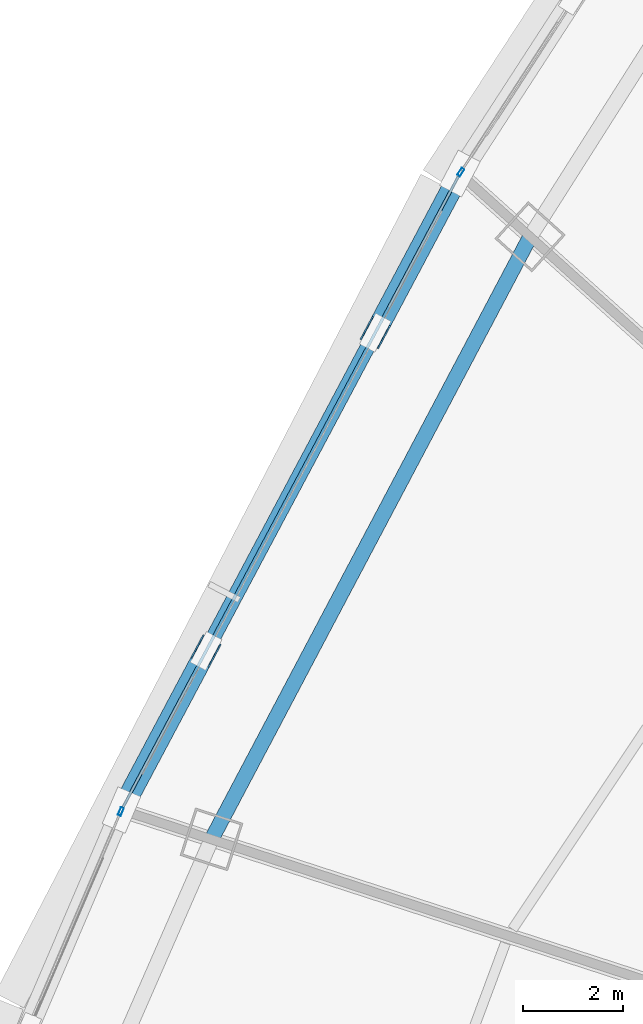
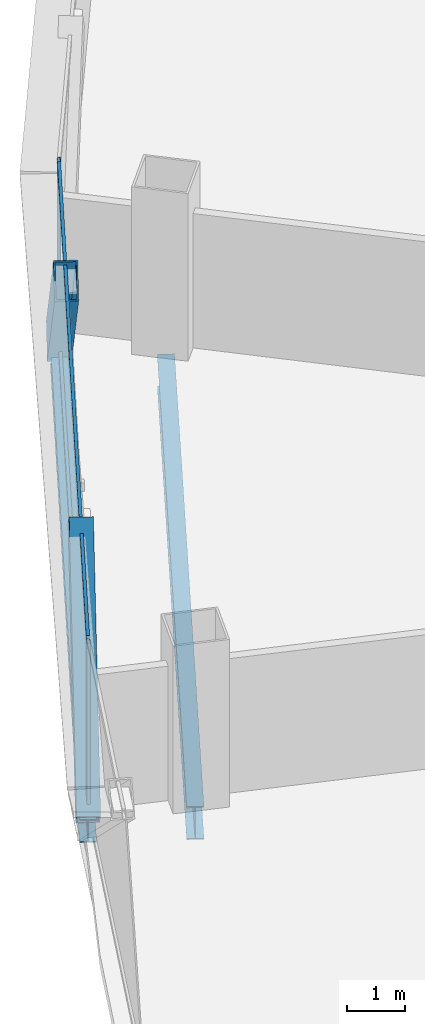
# One storey, part 14 of 39: 6 members, 2 beams, 3 elements without a shape of their own.
"""IFC4 building model written with IfcOpenShell, lengths in metres."""

from ifc_helpers import new_model, si_unit, direction, frame, origin, origin_2d, place, context, subcontext, project, spatial, hollow_rectangle, i_section, extrude, source, transform, mapped, material, layer, layer_set, material_profile, profile_set, type_object, element, aggregate, save


model = new_model("IFC4")

# Units and contexts
model_context = context("Model", 3, precision=1e-05, world=origin(), true_north=direction((0.0, 1.0)))
body_context = subcontext(model_context, "Body", "Model", "MODEL_VIEW")
ifc_project = project(units=[si_unit("LENGTHUNIT", "METRE"), si_unit("AREAUNIT", "SQUARE_METRE"), si_unit("VOLUMEUNIT", "CUBIC_METRE"), si_unit("PLANEANGLEUNIT", "RADIAN"), si_unit("MASSUNIT", "GRAM", prefix="KILO"), si_unit("THERMODYNAMICTEMPERATUREUNIT", "KELVIN"), si_unit("POWERUNIT", "WATT")], contexts=[model_context])

# Site, building, storey
site_placement = place(None, origin())
site = spatial("IfcSite", under=ifc_project, at=site_placement, CompositionType="ELEMENT")
building_placement = place(site_placement, origin())
building = spatial("IfcBuilding", under=site, at=building_placement, Name="Yunzhuo Pagoda Commons", CompositionType="ELEMENT")
storey_placement = place(building_placement, frame((0.0, 0.0, 96.3798828125)))
storey = spatial("IfcBuildingStorey", under=building, at=storey_placement, Name="L24", CompositionType="ELEMENT", Elevation=96.3798828125)

# Beams
ifc_material_1 = material(Name="Structural steel Q355B", Category="steel")
ifc_material_profile_1 = material_profile(ifc_material_1, i_section(OverallWidth=0.300048828125, OverallDepth=0.699951171875, WebThickness=0.012939453125, FlangeThickness=0.02392578125, at=origin_2d()), Name="Structural steel Q355B")
ifc_profile_set_1 = profile_set([ifc_material_profile_1], Name="Structural steel Q355B")
beam_type_1 = type_object("IfcBeamType", Name="B-RG1 Beam HN 700x300x13x24", PredefinedType="BEAM", material=ifc_profile_set_1)
shared_shape_1 = source(origin(), body_context, "Body", "SweptSolid", [
    extrude(i_section(OverallWidth=0.300048828125, OverallDepth=0.699951171875, WebThickness=0.012939453125, FlangeThickness=0.02392578125, at=origin_2d()), origin(), (0.0, 0.0, 1.0), 13.66748046875),
])
beam_1_placement = place(storey_placement, frame((23.397216796875, 55.852294921875, -0.609619140625), z_axis=(-0.467383716456, -0.88405455804, 0.0), x_axis=(0.88405455804, -0.467383716456, 0.0)))
element("IfcBeam", 1, at=beam_1_placement, inside=storey, type_object=beam_type_1, Name="L24 column-ring beam 10", PredefinedType="BEAM", context=body_context, shape_type="MappedRepresentation", body=[
    mapped(shared_shape_1, transform((0.0, 0.0, 0.0), scale=1.0)),
])
ifc_material_profile_2 = material_profile(ifc_material_1, i_section(OverallWidth=0.300048828125, OverallDepth=0.488037109375, WebThickness=0.010986328125, FlangeThickness=0.01806640625, at=origin_2d()), Name="Structural steel Q355B")
ifc_profile_set_2 = profile_set([ifc_material_profile_2], Name="Structural steel Q355B")
beam_type_2 = type_object("IfcBeamType", Name="B-SP1 Beam HM 488x300x11x18", PredefinedType="BEAM", material=ifc_profile_set_2)
shared_shape_2 = source(origin(), body_context, "Body", "SweptSolid", [
    extrude(i_section(OverallWidth=0.300048828125, OverallDepth=0.488037109375, WebThickness=0.010986328125, FlangeThickness=0.01806640625, at=origin_2d()), origin(), (0.0, 0.0, 1.0), 14.45556640625),
])
beam_2_placement = place(storey_placement, frame((21.9892578125, 57.1201171875, -0.50390625), z_axis=(-0.469414934682, -0.882977700227, 0.0), x_axis=(0.882977700227, -0.469414934682, 0.0)))
element("IfcBeam", 2, at=beam_2_placement, inside=storey, type_object=beam_type_2, Name="L24 facade edge spandrel beam F3.2", PredefinedType="BEAM", context=body_context, shape_type="MappedRepresentation", body=[
    mapped(shared_shape_2, transform((0.0, 0.0, 0.0), scale=1.0)),
])

# Members
ifc_material_2 = material(Name="Structural steel Q420B", Category="steel")
ifc_material_profile_3 = material_profile(ifc_material_2, hollow_rectangle(XDim=0.419921875, YDim=0.719970703125, WallThickness=0.028076171875, at=origin_2d()), Name="Structural steel Q420B")
ifc_profile_set_3 = profile_set([ifc_material_profile_3], Name="Structural steel Q420B")
member_type_1 = type_object("IfcMemberType", Name="M-DL1 Brace BOX 720x420x28", PredefinedType="BRACE", material=ifc_profile_set_3)
shared_shape_3 = source(origin(), body_context, "Body", "SweptSolid", [
    extrude(hollow_rectangle(XDim=0.419921875, YDim=0.719970703125, WallThickness=0.028076171875, at=origin_2d()), origin(), (0.0, 0.0, 1.0), 5.243896484375),
])
for number, where, z_axis, x_axis, name in (
    (3, (21.9892578125, 57.1201171875, -0.259765625), (-0.323482161741, -0.608507751, 0.724622389944), (0.882987979283, -0.469395599086, 0.0), "L24 facade diamond brace F3.2L"),
    (4, (15.20361328125, 44.356201171875, -0.259765625), (0.323482161741, 0.608507751, 0.724622389944), (-0.882987979283, 0.469395599086, 0.0), "L24 facade diamond brace F3.2R"),
):
    element("IfcMember", number, at=place(storey_placement, frame(where, z_axis=z_axis, x_axis=x_axis)), inside=storey, type_object=member_type_1, Name=name, PredefinedType="BRACE", context=body_context, shape_type="MappedRepresentation", body=[
        mapped(shared_shape_3, transform((0.0, 0.0, 0.0), scale=1.0)),
    ])

# Curtain wall, member
ifc_material_3 = material(Name="Anodized aluminium 6063-T6", Category="aluminium")
ifc_layer = layer(ifc_material_3, 0.1650390625)
ifc_layer_set = layer_set([ifc_layer], Name="Anodized aluminium 6063-T6")
curtain_wall_type = type_object("IfcCurtainWallType", Name="CW-LOW Low-Zone Ribbon Curtain Wall", PredefinedType="NOTDEFINED", material=ifc_layer_set)
curtain_wall_1_placement = place(storey_placement, origin())
curtain_wall_1 = element("IfcCurtainWall", 5, at=curtain_wall_1_placement, inside=storey, type_object=curtain_wall_type, Name="L24 curtain wall CW-L24-F3B2", PredefinedType="NOTDEFINED")
ifc_material_profile_4 = material_profile(ifc_material_3, hollow_rectangle(XDim=0.06494140625, YDim=0.1650390625, WallThickness=0.00390625, at=origin_2d()), Name="Anodized aluminium 6063-T6")
ifc_profile_set_4 = profile_set([ifc_material_profile_4], Name="Anodized aluminium 6063-T6")
member_type_2 = type_object("IfcMemberType", Name="CW-LOW-M Mullion RHS 165x65x4", PredefinedType="MULLION", material=ifc_profile_set_4)
shared_shape_4 = source(origin(), body_context, "Body", "SweptSolid", [
    extrude(hollow_rectangle(XDim=0.06494140625, YDim=0.1650390625, WallThickness=0.00390625, at=origin_2d()), origin(), (0.0, 0.0, 1.0), 3.5400390625),
])
member_1_placement = place(storey_placement, frame((22.007080078125, 57.1474609375, 0.0), z_axis=(0.0, 0.0, 1.0), x_axis=(0.838972259493, -0.544174188841, 0.0)))
member_1 = element("IfcMember", 6, at=member_1_placement, type_object=member_type_2, Name="CW mullion 2", PredefinedType="MULLION", context=body_context, shape_type="MappedRepresentation", body=[
    mapped(shared_shape_4, transform((0.0, 0.0, 0.0), scale=1.0)),
])
aggregate(curtain_wall_1, [member_1])

curtain_wall_2_placement = place(storey_placement, origin())
curtain_wall_2 = element("IfcCurtainWall", 7, at=curtain_wall_2_placement, inside=storey, type_object=curtain_wall_type, Name="L24 curtain wall CW-L24-F3B4", PredefinedType="NOTDEFINED")
member_2_placement = place(storey_placement, frame((15.19091796875, 44.326416015625, 0.0), z_axis=(0.0, 0.0, 1.0), x_axis=(0.919382894415, -0.393363818185, 0.0)))
member_2 = element("IfcMember", 8, at=member_2_placement, type_object=member_type_2, Name="CW mullion 1", PredefinedType="MULLION", context=body_context, shape_type="MappedRepresentation", body=[
    mapped(shared_shape_4, transform((0.0, 0.0, 0.0), scale=1.0)),
])
aggregate(curtain_wall_2, [member_2])

# Curtain wall, members
curtain_wall_3_placement = place(storey_placement, origin())
curtain_wall_3 = element("IfcCurtainWall", 9, at=curtain_wall_3_placement, inside=storey, type_object=curtain_wall_type, Name="L24 curtain wall CW-L24-F3B3", PredefinedType="NOTDEFINED")
ifc_material_profile_5 = material_profile(ifc_material_3, hollow_rectangle(XDim=0.06005859375, YDim=0.139892578125, WallThickness=0.00341796875, at=origin_2d()), Name="Anodized aluminium 6063-T6")
ifc_profile_set_5 = profile_set([ifc_material_profile_5], Name="Anodized aluminium 6063-T6")
member_type_3 = type_object("IfcMemberType", Name="CW-LOW-T Transom RHS 140x60x3.5", PredefinedType="USERDEFINED", material=ifc_profile_set_5)
shared_shape_5 = source(origin(), body_context, "Body", "SweptSolid", [
    extrude(hollow_rectangle(XDim=0.06005859375, YDim=0.139892578125, WallThickness=0.00341796875, at=origin_2d()), origin(), (0.0, 0.0, 1.0), 14.32568359375),
])
member_3_placement = place(storey_placement, frame((21.958740234375, 57.062744140625, 0.030029296875), z_axis=(-0.469413137866, -0.88297865546, 0.0), x_axis=(0.88297865546, -0.469413137866, 0.0)))
member_3 = element("IfcMember", 10, at=member_3_placement, type_object=member_type_3, Name="CW transom 1.1", ObjectType="TRANSOM", PredefinedType="USERDEFINED", context=body_context, shape_type="MappedRepresentation", body=[
    mapped(shared_shape_5, transform((0.0, 0.0, 0.0), scale=1.0)),
])
member_4_placement = place(storey_placement, frame((21.958740234375, 57.062744140625, 3.510009765625), z_axis=(-0.469413137866, -0.88297865546, 0.0), x_axis=(0.88297865546, -0.469413137866, 0.0)))
member_4 = element("IfcMember", 11, at=member_4_placement, type_object=member_type_3, Name="CW transom 1.2", ObjectType="TRANSOM", PredefinedType="USERDEFINED", context=body_context, shape_type="MappedRepresentation", body=[
    mapped(shared_shape_5, transform((0.0, 0.0, 0.0), scale=1.0)),
])
aggregate(curtain_wall_3, [member_3, member_4])

save(model, "model.ifc")
